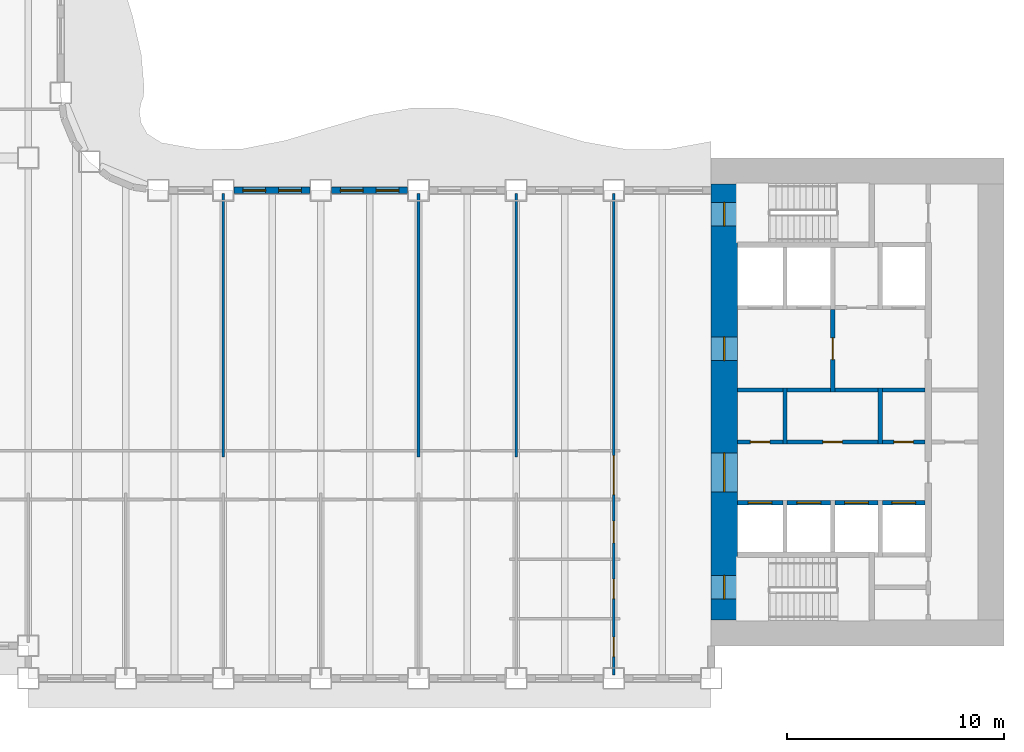
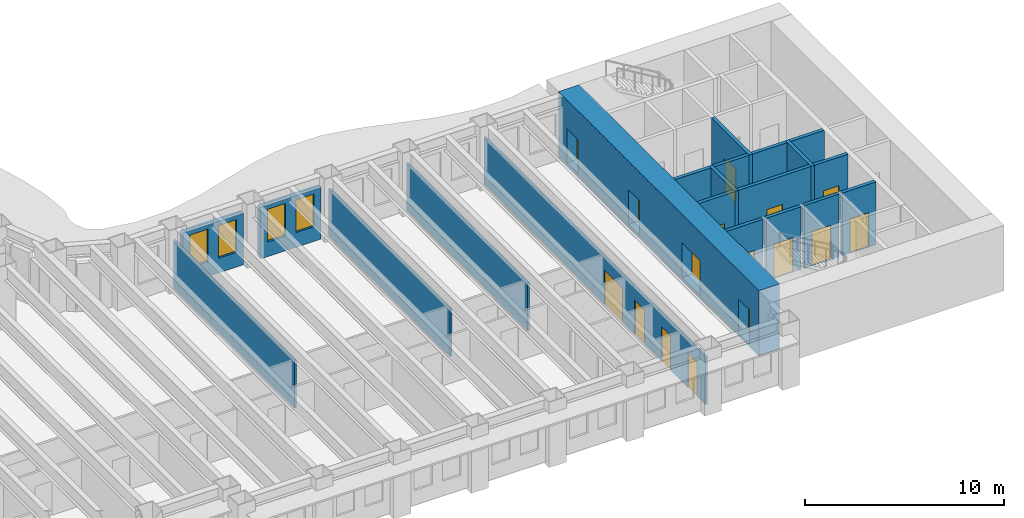
# One storey, part 6 of 16: 21 walls, 16 doors, 4 windows, 20 openings.
"""IFC4 building model written with IfcOpenShell, lengths in metres."""

from ifc_helpers import new_model, si_unit, direction, frame, frame_2d, origin, place, context, subcontext, project, spatial, rectangle, extrude, material, layer, layer_set, type_object, element, fill, save


model = new_model("IFC4")

# Units and contexts
model_context = context("Model", 3, precision=1e-05, world=origin(), true_north=direction((0.0, 1.0)))
body_context = subcontext(model_context, "Body", "Model", "MODEL_VIEW")
ifc_project = project(units=[si_unit("LENGTHUNIT", "METRE"), si_unit("AREAUNIT", "SQUARE_METRE"), si_unit("VOLUMEUNIT", "CUBIC_METRE"), si_unit("PLANEANGLEUNIT", "RADIAN"), si_unit("MASSUNIT", "GRAM", prefix="KILO")], contexts=[model_context])

# Site, building, storey
site_placement = place(None, origin())
site = spatial("IfcSite", under=ifc_project, at=site_placement, CompositionType="ELEMENT")
building_placement = place(site_placement, origin())
building = spatial("IfcBuilding", under=site, at=building_placement, Name="Sennacour Bend Tower", CompositionType="ELEMENT")
storey_placement = place(building_placement, frame((0.0, 0.0, 103.0)))
storey = spatial("IfcBuildingStorey", under=building, at=storey_placement, Name="L23", CompositionType="ELEMENT", Elevation=103.0)

# Wall, openings, doors
ifc_material_1 = material(Name="Concrete C80/95", Category="concrete")
ifc_layer_1 = layer(ifc_material_1, 1.199951171875, Name="Concrete C80/95", Category="concrete")
ifc_layer_set_1 = layer_set([ifc_layer_1], Name="Concrete C80/95")
wall_type_1 = type_object("IfcWallType", Name="Core wall 1200 C80/95", PredefinedType="SHEAR", material=ifc_layer_set_1)
wall_1_placement = place(storey_placement, frame((54.60009765625, 1.199951171875, -0.14990234375), z_axis=(0.0, 0.0, 1.0), x_axis=(0.0, 1.0, 0.0)))
wall_1 = element("IfcWall", 1, at=wall_1_placement, inside=storey, type_object=wall_type_1, Name="Core A wall L23 W", PredefinedType="SHEAR", context=body_context, shape_type="SweptSolid", body=[
    extrude(rectangle(XDim=20.10009765625, YDim=1.199951171875, at=frame_2d((10.050048828125, 0.0))), origin(), (0.0, 0.0, 1.0), 4.0),
])
opening_1_placement = place(wall_1_placement, frame((5.89990234375, 0.0, 0.14990234375)))
opening_1 = element("IfcOpeningElement", 2, at=opening_1_placement, cuts=wall_1, Name="Opening CD", PredefinedType="OPENING", context=body_context, shape_type="SweptSolid", body=[
    extrude(rectangle(XDim=1.800048828125, YDim=2.10009765625, at=frame_2d((0.89990234375, 1.050048828125))), frame((0.0, 0.60986328125, 0.0), z_axis=(0.0, -1.0, 0.0), x_axis=(1.0, 0.0, 0.0)), (0.0, 0.0, 1.0), 1.219970703125),
])
opening_2_placement = place(wall_1_placement, frame((11.949951171875, 0.0, 0.14990234375)))
opening_2 = element("IfcOpeningElement", 3, at=opening_2_placement, cuts=wall_1, Name="Opening FD", PredefinedType="OPENING", context=body_context, shape_type="SweptSolid", body=[
    extrude(rectangle(XDim=1.10009765625, YDim=2.10009765625, at=frame_2d((0.550048828125, 1.050048828125))), frame((0.0, 0.60986328125, 0.0), z_axis=(0.0, -1.0, 0.0), x_axis=(1.0, 0.0, 0.0)), (0.0, 0.0, 1.0), 1.219970703125),
])
opening_3_placement = place(wall_1_placement, frame((0.949951171875, 0.0, 0.14990234375)))
opening_3 = element("IfcOpeningElement", 4, at=opening_3_placement, cuts=wall_1, Name="Opening SD", PredefinedType="OPENING", context=body_context, shape_type="SweptSolid", body=[
    extrude(rectangle(XDim=1.10009765625, YDim=2.10009765625, at=frame_2d((0.550048828125, 1.050048828125))), frame((0.0, 0.60986328125, 0.0), z_axis=(0.0, -1.0, 0.0), x_axis=(1.0, 0.0, 0.0)), (0.0, 0.0, 1.0), 1.219970703125),
])
opening_4_placement = place(wall_1_placement, frame((18.14990234375, 0.0, 0.14990234375)))
opening_4 = element("IfcOpeningElement", 5, at=opening_4_placement, cuts=wall_1, Name="Opening SD", PredefinedType="OPENING", context=body_context, shape_type="SweptSolid", body=[
    extrude(rectangle(XDim=1.10009765625, YDim=2.10009765625, at=frame_2d((0.550048828125, 1.050048828125))), frame((0.0, 0.60986328125, 0.0), z_axis=(0.0, -1.0, 0.0), x_axis=(1.0, 0.0, 0.0)), (0.0, 0.0, 1.0), 1.219970703125),
])
ifc_material_2 = material(Name="Painted steel", Category="steel")
door_type_1 = type_object("IfcDoorType", Name="DR-FFL-1100", OperationType="NOTDEFINED", PredefinedType="DOOR", material=ifc_material_2)
door_1_placement = place(opening_2_placement, origin())
door_1 = element("IfcDoor", 6, at=door_1_placement, inside=storey, type_object=door_type_1, Name="Door", OperationType="SINGLE_SWING_RIGHT", OverallHeight=2.10009765625, OverallWidth=1.10009765625, PredefinedType="DOOR", context=body_context, shape_type="SweptSolid", body=[
    extrude(rectangle(XDim=1.10009765625, YDim=2.10009765625, at=frame_2d((0.550048828125, 1.050048828125))), frame((0.0, 0.02490234375, 0.0), z_axis=(0.0, -1.0, 0.0), x_axis=(1.0, 0.0, 0.0)), (0.0, 0.0, 1.0), 0.050048828125),
])
fill(opening_2, door_1)
door_type_2 = type_object("IfcDoorType", Name="DR-LOBBY-1800", OperationType="NOTDEFINED", PredefinedType="DOOR", material=ifc_material_2)
door_2_placement = place(opening_1_placement, origin())
door_2 = element("IfcDoor", 7, at=door_2_placement, inside=storey, type_object=door_type_2, Name="Door", OperationType="DOUBLE_DOOR_SINGLE_SWING", OverallHeight=2.10009765625, OverallWidth=1.800048828125, PredefinedType="DOOR", context=body_context, shape_type="SweptSolid", body=[
    extrude(rectangle(XDim=1.800048828125, YDim=2.10009765625, at=frame_2d((0.89990234375, 1.050048828125))), frame((0.0, 0.02490234375, 0.0), z_axis=(0.0, -1.0, 0.0), x_axis=(1.0, 0.0, 0.0)), (0.0, 0.0, 1.0), 0.050048828125),
])
fill(opening_1, door_2)
door_type_3 = type_object("IfcDoorType", Name="DR-STAIR-1100", OperationType="NOTDEFINED", PredefinedType="DOOR", material=ifc_material_2)
door_3_placement = place(opening_3_placement, origin())
door_3 = element("IfcDoor", 8, at=door_3_placement, inside=storey, type_object=door_type_3, Name="Door", OperationType="SINGLE_SWING_LEFT", OverallHeight=2.10009765625, OverallWidth=1.10009765625, PredefinedType="DOOR", context=body_context, shape_type="SweptSolid", body=[
    extrude(rectangle(XDim=1.10009765625, YDim=2.10009765625, at=frame_2d((0.550048828125, 1.050048828125))), frame((0.0, 0.02490234375, 0.0), z_axis=(0.0, -1.0, 0.0), x_axis=(1.0, 0.0, 0.0)), (0.0, 0.0, 1.0), 0.050048828125),
])
fill(opening_3, door_3)
door_4_placement = place(opening_4_placement, origin())
door_4 = element("IfcDoor", 9, at=door_4_placement, inside=storey, type_object=door_type_3, Name="Door", OperationType="SINGLE_SWING_RIGHT", OverallHeight=2.10009765625, OverallWidth=1.10009765625, PredefinedType="DOOR", context=body_context, shape_type="SweptSolid", body=[
    extrude(rectangle(XDim=1.10009765625, YDim=2.10009765625, at=frame_2d((0.550048828125, 1.050048828125))), frame((0.0, 0.02490234375, 0.0), z_axis=(0.0, -1.0, 0.0), x_axis=(1.0, 0.0, 0.0)), (0.0, 0.0, 1.0), 0.050048828125),
])
fill(opening_4, door_4)

# Walls
ifc_material_3 = material(Name="Plasterboard partition on steel studs", Category="steel")
ifc_layer_2 = layer(ifc_material_3, 0.1201171875, Name="Plasterboard partition on steel studs", Category="steel")
ifc_layer_set_2 = layer_set([ifc_layer_2], Name="Plasterboard partition on steel studs")
wall_type_2 = type_object("IfcWallType", Name="Partition 120", PredefinedType="PARTITIONING", material=ifc_layer_set_2)
for number, where, z_axis, x_axis, name in (
    (10, (31.5, 8.699951171875, 0.0), (0.0, 0.0, 1.0), (0.0, 1.0, 0.0), "P-L23-W027a"),
    (11, (40.5, 8.699951171875, 0.0), (0.0, 0.0, 1.0), (0.0, 1.0, 0.0), "P-L23-W030a"),
    (12, (45.0, 8.699951171875, 0.0), (0.0, 0.0, 1.0), (0.0, 1.0, 0.0), "P-L23-W032a"),
):
    element("IfcWall", number, at=place(storey_placement, frame(where, z_axis=z_axis, x_axis=x_axis)), inside=storey, type_object=wall_type_2, Name=name, PredefinedType="PARTITIONING", context=body_context, shape_type="SweptSolid", body=[
        extrude(rectangle(XDim=12.150146484375, YDim=0.1201171875, at=frame_2d((6.0751953125, 0.0))), origin(), (0.0, 0.0, 1.0), 2.93798828125),
    ])

# Wall, openings, doors
ifc_layer_3 = layer(ifc_material_3, 0.1201171875, Name="Plasterboard partition on steel studs", Category="steel")
ifc_layer_set_3 = layer_set([ifc_layer_3], Name="Plasterboard partition on steel studs")
wall_type_3 = type_object("IfcWallType", Name="Partition 120 EI 30", PredefinedType="PARTITIONING", material=ifc_layer_set_3)
wall_2_placement = place(storey_placement, frame((49.5, -1.35009765625, 0.0), z_axis=(0.0, 0.0, 1.0), x_axis=(0.0, 1.0, 0.0)))
wall_2 = element("IfcWall", 13, at=wall_2_placement, inside=storey, type_object=wall_type_3, Name="P-L23-W033a", PredefinedType="PARTITIONING", context=body_context, shape_type="SweptSolid", body=[
    extrude(rectangle(XDim=22.2001953125, YDim=0.1201171875, at=frame_2d((11.10009765625, 0.0))), origin(), (0.0, 0.0, 1.0), 2.93798828125),
])
opening_5_placement = place(wall_2_placement, frame((8.3251953125, 0.0, 0.0)))
opening_5 = element("IfcOpeningElement", 14, at=opening_5_placement, cuts=wall_2, Name="Opening KD3", PredefinedType="OPENING", context=body_context, shape_type="SweptSolid", body=[
    extrude(rectangle(XDim=1.800048828125, YDim=2.10009765625, at=frame_2d((0.89990234375, 1.050048828125))), frame((0.0, 0.070068359375, 0.0), z_axis=(0.0, -1.0, 0.0), x_axis=(1.0, 0.0, 0.0)), (0.0, 0.0, 1.0), 0.14013671875),
])
opening_6_placement = place(wall_2_placement, frame((0.85009765625, 0.0, 0.0)))
opening_6 = element("IfcOpeningElement", 15, at=opening_6_placement, cuts=wall_2, Name="Opening WD", PredefinedType="OPENING", context=body_context, shape_type="SweptSolid", body=[
    extrude(rectangle(XDim=0.89990234375, YDim=2.10009765625, at=frame_2d((0.449951171875, 1.050048828125))), frame((0.0, 0.070068359375, 0.0), z_axis=(0.0, -1.0, 0.0), x_axis=(1.0, 0.0, 0.0)), (0.0, 0.0, 1.0), 0.14013671875),
])
opening_7_placement = place(wall_2_placement, frame((3.525146484375, 0.0, 0.0)))
opening_7 = element("IfcOpeningElement", 16, at=opening_7_placement, cuts=wall_2, Name="Opening WD", PredefinedType="OPENING", context=body_context, shape_type="SweptSolid", body=[
    extrude(rectangle(XDim=0.89990234375, YDim=2.10009765625, at=frame_2d((0.449951171875, 1.050048828125))), frame((0.0, 0.070068359375, 0.0), z_axis=(0.0, -1.0, 0.0), x_axis=(1.0, 0.0, 0.0)), (0.0, 0.0, 1.0), 0.14013671875),
])
opening_8_placement = place(wall_2_placement, frame((6.10009765625, 0.0, 0.0)))
opening_8 = element("IfcOpeningElement", 17, at=opening_8_placement, cuts=wall_2, Name="Opening AD", PredefinedType="OPENING", context=body_context, shape_type="SweptSolid", body=[
    extrude(rectangle(XDim=1.0, YDim=2.10009765625, at=frame_2d((0.5, 1.050048828125))), frame((0.0, 0.070068359375, 0.0), z_axis=(0.0, -1.0, 0.0), x_axis=(1.0, 0.0, 0.0)), (0.0, 0.0, 1.0), 0.14013671875),
])
ifc_material_4 = material(Name="Timber", Category="wood")
door_type_4 = type_object("IfcDoorType", Name="DR-ACC-WC-1000", OperationType="NOTDEFINED", PredefinedType="DOOR", material=ifc_material_4)
door_5_placement = place(opening_8_placement, origin())
door_5 = element("IfcDoor", 18, at=door_5_placement, inside=storey, type_object=door_type_4, Name="Door", OperationType="SINGLE_SWING_LEFT", OverallHeight=2.10009765625, OverallWidth=1.0, PredefinedType="DOOR", context=body_context, shape_type="SweptSolid", body=[
    extrude(rectangle(XDim=1.0, YDim=2.10009765625, at=frame_2d((0.5, 1.050048828125))), frame((0.0, 0.02490234375, 0.0), z_axis=(0.0, -1.0, 0.0), x_axis=(1.0, 0.0, 0.0)), (0.0, 0.0, 1.0), 0.050048828125),
])
fill(opening_8, door_5)
door_type_5 = type_object("IfcDoorType", Name="DR-CORRIDOR-1800", OperationType="NOTDEFINED", PredefinedType="DOOR", material=ifc_material_2)
door_6_placement = place(opening_5_placement, origin())
door_6 = element("IfcDoor", 19, at=door_6_placement, inside=storey, type_object=door_type_5, Name="Door", OperationType="DOUBLE_DOOR_SINGLE_SWING", OverallHeight=2.10009765625, OverallWidth=1.800048828125, PredefinedType="DOOR", context=body_context, shape_type="SweptSolid", body=[
    extrude(rectangle(XDim=1.800048828125, YDim=2.10009765625, at=frame_2d((0.89990234375, 1.050048828125))), frame((0.0, 0.02490234375, 0.0), z_axis=(0.0, -1.0, 0.0), x_axis=(1.0, 0.0, 0.0)), (0.0, 0.0, 1.0), 0.050048828125),
])
fill(opening_5, door_6)
door_type_6 = type_object("IfcDoorType", Name="DR-WC-900", OperationType="NOTDEFINED", PredefinedType="DOOR", material=ifc_material_4)
door_7_placement = place(opening_6_placement, origin())
door_7 = element("IfcDoor", 20, at=door_7_placement, inside=storey, type_object=door_type_6, Name="Door", OperationType="SINGLE_SWING_LEFT", OverallHeight=2.10009765625, OverallWidth=0.89990234375, PredefinedType="DOOR", context=body_context, shape_type="SweptSolid", body=[
    extrude(rectangle(XDim=0.89990234375, YDim=2.10009765625, at=frame_2d((0.449951171875, 1.050048828125))), frame((0.0, 0.02490234375, 0.0), z_axis=(0.0, -1.0, 0.0), x_axis=(1.0, 0.0, 0.0)), (0.0, 0.0, 1.0), 0.050048828125),
])
fill(opening_6, door_7)
door_8_placement = place(opening_7_placement, origin())
door_8 = element("IfcDoor", 21, at=door_8_placement, inside=storey, type_object=door_type_6, Name="Door", OperationType="SINGLE_SWING_LEFT", OverallHeight=2.10009765625, OverallWidth=0.89990234375, PredefinedType="DOOR", context=body_context, shape_type="SweptSolid", body=[
    extrude(rectangle(XDim=0.89990234375, YDim=2.10009765625, at=frame_2d((0.449951171875, 1.050048828125))), frame((0.0, 0.02490234375, 0.0), z_axis=(0.0, -1.0, 0.0), x_axis=(1.0, 0.0, 0.0)), (0.0, 0.0, 1.0), 0.050048828125),
])
fill(opening_7, door_8)

# Walls
ifc_material_5 = material(Name="Fire-rated plasterboard partition on steel studs", Category="steel")
ifc_layer_4 = layer(ifc_material_5, 0.199951171875, Name="Fire-rated plasterboard partition on steel studs", Category="steel")
ifc_layer_set_4 = layer_set([ifc_layer_4], Name="Fire-rated plasterboard partition on steel studs")
wall_type_4 = type_object("IfcWallType", Name="Rated partition 200", PredefinedType="PARTITIONING", material=ifc_layer_set_4)
for number, where, z_axis, x_axis, name in (
    (22, (57.39990234375, 9.300048828125, 0.0), (0.0, 0.0, 1.0), (0.0, 1.0, 0.0), "P-L23-W036"),
    (23, (61.800048828125, 9.300048828125, 0.0), (0.0, 0.0, 1.0), (0.0, 1.0, 0.0), "P-L23-W044"),
):
    element("IfcWall", number, at=place(storey_placement, frame(where, z_axis=z_axis, x_axis=x_axis)), inside=storey, type_object=wall_type_4, Name=name, PredefinedType="PARTITIONING", context=body_context, shape_type="SweptSolid", body=[
        extrude(rectangle(XDim=2.599853515625, YDim=0.199951171875, at=frame_2d((1.2998046875, 0.0))), origin(), (0.0, 0.0, 1.0), 3.85009765625),
    ])

# Wall, opening, door
wall_3_placement = place(storey_placement, frame((55.199951171875, 9.39990234375, 0.0), z_axis=(0.0, 0.0, 1.0), x_axis=(1.0, 0.0, 0.0)))
wall_3 = element("IfcWall", 24, at=wall_3_placement, inside=storey, type_object=wall_type_4, Name="P-L23-W062a", PredefinedType="PARTITIONING", context=body_context, shape_type="SweptSolid", body=[
    extrude(rectangle(XDim=2.10009765625, YDim=0.199951171875, at=frame_2d((1.050048828125, 0.0))), origin(), (0.0, 0.0, 1.0), 3.85009765625),
])
opening_9_placement = place(wall_3_placement, frame((0.60009765625, 0.0, 0.0)))
opening_9 = element("IfcOpeningElement", 25, at=opening_9_placement, cuts=wall_3, Name="Opening SV", PredefinedType="OPENING", context=body_context, shape_type="SweptSolid", body=[
    extrude(rectangle(XDim=0.89990234375, YDim=2.10009765625, at=frame_2d((0.449951171875, 1.050048828125))), frame((0.0, 0.10986328125, 0.0), z_axis=(0.0, -1.0, 0.0), x_axis=(1.0, 0.0, 0.0)), (0.0, 0.0, 1.0), 0.219970703125),
])
door_type_7 = type_object("IfcDoorType", Name="DR-SERVICE-900", OperationType="NOTDEFINED", PredefinedType="DOOR", material=ifc_material_2)
door_9_placement = place(opening_9_placement, origin())
door_9 = element("IfcDoor", 26, at=door_9_placement, inside=storey, type_object=door_type_7, Name="Door", OperationType="SINGLE_SWING_LEFT", OverallHeight=2.10009765625, OverallWidth=0.89990234375, PredefinedType="DOOR", context=body_context, shape_type="SweptSolid", body=[
    extrude(rectangle(XDim=0.89990234375, YDim=2.10009765625, at=frame_2d((0.449951171875, 1.050048828125))), frame((0.0, 0.02490234375, 0.0), z_axis=(0.0, -1.0, 0.0), x_axis=(1.0, 0.0, 0.0)), (0.0, 0.0, 1.0), 0.050048828125),
])
fill(opening_9, door_9)

wall_4_placement = place(storey_placement, frame((57.5, 9.39990234375, 0.0), z_axis=(0.0, 0.0, 1.0), x_axis=(1.0, 0.0, 0.0)))
wall_4 = element("IfcWall", 27, at=wall_4_placement, inside=storey, type_object=wall_type_4, Name="P-L23-W062b", PredefinedType="PARTITIONING", context=body_context, shape_type="SweptSolid", body=[
    extrude(rectangle(XDim=4.199951171875, YDim=0.199951171875, at=frame_2d((2.10009765625, 0.0))), origin(), (0.0, 0.0, 1.0), 3.85009765625),
])
opening_10_placement = place(wall_4_placement, frame((1.64990234375, 0.0, 0.0)))
opening_10 = element("IfcOpeningElement", 28, at=opening_10_placement, cuts=wall_4, Name="Opening WD", PredefinedType="OPENING", context=body_context, shape_type="SweptSolid", body=[
    extrude(rectangle(XDim=0.89990234375, YDim=2.10009765625, at=frame_2d((0.449951171875, 1.050048828125))), frame((0.0, 0.10986328125, 0.0), z_axis=(0.0, -1.0, 0.0), x_axis=(1.0, 0.0, 0.0)), (0.0, 0.0, 1.0), 0.219970703125),
])
door_10_placement = place(opening_10_placement, origin())
door_10 = element("IfcDoor", 29, at=door_10_placement, inside=storey, type_object=door_type_6, Name="Door", OperationType="SINGLE_SWING_RIGHT", OverallHeight=2.10009765625, OverallWidth=0.89990234375, PredefinedType="DOOR", context=body_context, shape_type="SweptSolid", body=[
    extrude(rectangle(XDim=0.89990234375, YDim=2.10009765625, at=frame_2d((0.449951171875, 1.050048828125))), frame((0.0, 0.02490234375, 0.0), z_axis=(0.0, -1.0, 0.0), x_axis=(1.0, 0.0, 0.0)), (0.0, 0.0, 1.0), 0.050048828125),
])
fill(opening_10, door_10)

wall_5_placement = place(storey_placement, frame((61.89990234375, 9.39990234375, 0.0), z_axis=(0.0, 0.0, 1.0), x_axis=(1.0, 0.0, 0.0)))
wall_5 = element("IfcWall", 30, at=wall_5_placement, inside=storey, type_object=wall_type_4, Name="P-L23-W062c", PredefinedType="PARTITIONING", context=body_context, shape_type="SweptSolid", body=[
    extrude(rectangle(XDim=1.9501953125, YDim=0.199951171875, at=frame_2d((0.97509765625, 0.0))), origin(), (0.0, 0.0, 1.0), 3.85009765625),
])
opening_11_placement = place(wall_5_placement, frame((0.525146484375, 0.0, 0.0)))
opening_11 = element("IfcOpeningElement", 31, at=opening_11_placement, cuts=wall_5, Name="Opening SV", PredefinedType="OPENING", context=body_context, shape_type="SweptSolid", body=[
    extrude(rectangle(XDim=0.89990234375, YDim=2.10009765625, at=frame_2d((0.449951171875, 1.050048828125))), frame((0.0, 0.10986328125, 0.0), z_axis=(0.0, -1.0, 0.0), x_axis=(1.0, 0.0, 0.0)), (0.0, 0.0, 1.0), 0.219970703125),
])
door_11_placement = place(opening_11_placement, origin())
door_11 = element("IfcDoor", 32, at=door_11_placement, inside=storey, type_object=door_type_7, Name="Door", OperationType="SINGLE_SWING_LEFT", OverallHeight=2.10009765625, OverallWidth=0.89990234375, PredefinedType="DOOR", context=body_context, shape_type="SweptSolid", body=[
    extrude(rectangle(XDim=0.89990234375, YDim=2.10009765625, at=frame_2d((0.449951171875, 1.050048828125))), frame((0.0, 0.02490234375, 0.0), z_axis=(0.0, -1.0, 0.0), x_axis=(1.0, 0.0, 0.0)), (0.0, 0.0, 1.0), 0.050048828125),
])
fill(opening_11, door_11)

# Walls
wall_6_placement = place(storey_placement, frame((55.199951171875, 11.800048828125, 0.0), z_axis=(0.0, 0.0, 1.0), x_axis=(1.0, 0.0, 0.0)))
element("IfcWall", 33, at=wall_6_placement, inside=storey, type_object=wall_type_4, Name="P-L23-W063a", PredefinedType="PARTITIONING", context=body_context, shape_type="SweptSolid", body=[
    extrude(rectangle(XDim=2.10009765625, YDim=0.199951171875, at=frame_2d((1.050048828125, 0.0))), origin(), (0.0, 0.0, 1.0), 3.85009765625),
])
for number, where, z_axis, x_axis, name in (
    (34, (57.5, 11.800048828125, 0.0), (0.0, 0.0, 1.0), (1.0, 0.0, 0.0), "P-L23-W063b"),
    (35, (59.699951171875, 11.800048828125, 0.0), (0.0, 0.0, 1.0), (1.0, 0.0, 0.0), "P-L23-W063c"),
):
    element("IfcWall", number, at=place(storey_placement, frame(where, z_axis=z_axis, x_axis=x_axis)), inside=storey, type_object=wall_type_4, Name=name, PredefinedType="PARTITIONING", context=body_context, shape_type="SweptSolid", body=[
        extrude(rectangle(XDim=2.0, YDim=0.199951171875, at=frame_2d((1.0, 0.0))), origin(), (0.0, 0.0, 1.0), 3.85009765625),
    ])
wall_7_placement = place(storey_placement, frame((61.89990234375, 11.800048828125, 0.0), z_axis=(0.0, 0.0, 1.0), x_axis=(1.0, 0.0, 0.0)))
element("IfcWall", 36, at=wall_7_placement, inside=storey, type_object=wall_type_4, Name="P-L23-W063d", PredefinedType="PARTITIONING", context=body_context, shape_type="SweptSolid", body=[
    extrude(rectangle(XDim=1.9501953125, YDim=0.199951171875, at=frame_2d((0.97509765625, 0.0))), origin(), (0.0, 0.0, 1.0), 3.85009765625),
])

# Wall, opening, door
ifc_layer_5 = layer(ifc_material_5, 0.199951171875, Name="Fire-rated plasterboard partition on steel studs", Category="steel")
ifc_layer_set_5 = layer_set([ifc_layer_5], Name="Fire-rated plasterboard partition on steel studs")
wall_type_5 = type_object("IfcWallType", Name="Rated partition 200 EI 90", PredefinedType="PARTITIONING", material=ifc_layer_set_5)
wall_8_placement = place(storey_placement, frame((59.60009765625, 11.699951171875, 0.0), z_axis=(0.0, 0.0, 1.0), x_axis=(0.0, 1.0, 0.0)))
wall_8 = element("IfcWall", 37, at=wall_8_placement, inside=storey, type_object=wall_type_5, Name="P-L23-W039", PredefinedType="PARTITIONING", context=body_context, shape_type="SweptSolid", body=[
    extrude(rectangle(XDim=3.800048828125, YDim=0.199951171875, at=frame_2d((1.89990234375, 0.0))), origin(), (0.0, 0.0, 1.0), 3.85009765625),
])
opening_12_placement = place(wall_8_placement, frame((1.5, 0.0, 0.0)))
opening_12 = element("IfcOpeningElement", 38, at=opening_12_placement, cuts=wall_8, Name="Opening FD2", PredefinedType="OPENING", context=body_context, shape_type="SweptSolid", body=[
    extrude(rectangle(XDim=1.0, YDim=2.10009765625, at=frame_2d((0.5, 1.050048828125))), frame((0.0, 0.10986328125, 0.0), z_axis=(0.0, -1.0, 0.0), x_axis=(1.0, 0.0, 0.0)), (0.0, 0.0, 1.0), 0.219970703125),
])
door_type_8 = type_object("IfcDoorType", Name="DR-FFL-1000", OperationType="NOTDEFINED", PredefinedType="DOOR", material=ifc_material_2)
door_12_placement = place(opening_12_placement, origin())
door_12 = element("IfcDoor", 39, at=door_12_placement, inside=storey, type_object=door_type_8, Name="Door", OperationType="SINGLE_SWING_RIGHT", OverallHeight=2.10009765625, OverallWidth=1.0, PredefinedType="DOOR", context=body_context, shape_type="SweptSolid", body=[
    extrude(rectangle(XDim=1.0, YDim=2.10009765625, at=frame_2d((0.5, 1.050048828125))), frame((0.0, 0.02490234375, 0.0), z_axis=(0.0, -1.0, 0.0), x_axis=(1.0, 0.0, 0.0)), (0.0, 0.0, 1.0), 0.050048828125),
])
fill(opening_12, door_12)

# Wall, openings, windows
ifc_material_6 = material(Name="Warm limestone cladding", Category="masonry")
ifc_layer_6 = layer(ifc_material_6, 0.050048828125, Name="Warm limestone cladding", Category="masonry")
ifc_material_7 = material(Name="Precast concrete C40/50", Category="concrete")
ifc_layer_7 = layer(ifc_material_7, 0.25, Name="Precast concrete C40/50", Category="concrete")
ifc_layer_set_6 = layer_set([ifc_layer_6, ifc_layer_7], Name="Precast concrete C40/50 with limestone cladding")
wall_type_6 = type_object("IfcWallType", Name="STONE-CLAD PRECAST SPANDREL 300", PredefinedType="STANDARD", material=ifc_layer_set_6)
wall_9_placement = place(storey_placement, frame((40.0, 21.0, 0.0), z_axis=(0.0, 0.0, 1.0), x_axis=(-1.0, 0.0, 0.0)))
wall_9 = element("IfcWall", 40, at=wall_9_placement, inside=storey, type_object=wall_type_6, Name="Stone spandrel and pier wall L23 06.03", PredefinedType="STANDARD", context=body_context, shape_type="SweptSolid", body=[
    extrude(rectangle(XDim=3.5, YDim=0.300048828125, at=frame_2d((1.75, 0.0))), origin(), (0.0, 0.0, 1.0), 3.154052734375),
])
opening_13_placement = place(wall_9_placement, frame((0.39990234375, 0.0, 0.89990234375)))
opening_13 = element("IfcOpeningElement", 41, at=opening_13_placement, cuts=wall_9, Name="Opening W13", PredefinedType="OPENING", context=body_context, shape_type="SweptSolid", body=[
    extrude(rectangle(XDim=1.050048828125, YDim=2.0, at=frame_2d((0.52490234375, 1.0))), frame((0.0, 0.16015625, 0.0), z_axis=(0.0, -1.0, 0.0), x_axis=(1.0, 0.0, 0.0)), (0.0, 0.0, 1.0), 0.320068359375),
])
opening_14_placement = place(wall_9_placement, frame((2.050048828125, 0.0, 0.89990234375)))
opening_14 = element("IfcOpeningElement", 42, at=opening_14_placement, cuts=wall_9, Name="Opening W13", PredefinedType="OPENING", context=body_context, shape_type="SweptSolid", body=[
    extrude(rectangle(XDim=1.050048828125, YDim=2.0, at=frame_2d((0.52490234375, 1.0))), frame((0.0, 0.16015625, 0.0), z_axis=(0.0, -1.0, 0.0), x_axis=(1.0, 0.0, 0.0)), (0.0, 0.0, 1.0), 0.320068359375),
])
ifc_material_8 = material(Name="Clear low-emissivity glass", Category="glass")
window_type = type_object("IfcWindowType", Name="WIN-RIBBON-1050x2000", PartitioningType="SINGLE_PANEL", PredefinedType="WINDOW", material=ifc_material_8)
window_1_placement = place(opening_13_placement, origin())
window_1 = element("IfcWindow", 43, at=window_1_placement, inside=storey, type_object=window_type, Name="Ribbon window L23 06.03.0", OverallHeight=2.0, OverallWidth=1.050048828125, PartitioningType="SINGLE_PANEL", PredefinedType="WINDOW", context=body_context, shape_type="SweptSolid", body=[
    extrude(rectangle(XDim=1.050048828125, YDim=2.0, at=frame_2d((0.52490234375, 1.0))), frame((0.0, 0.030029296875, 0.0), z_axis=(0.0, -1.0, 0.0), x_axis=(1.0, 0.0, 0.0)), (0.0, 0.0, 1.0), 0.06005859375),
])
fill(opening_13, window_1)
window_2_placement = place(opening_14_placement, origin())
window_2 = element("IfcWindow", 44, at=window_2_placement, inside=storey, type_object=window_type, Name="Ribbon window L23 06.03.1", OverallHeight=2.0, OverallWidth=1.050048828125, PartitioningType="SINGLE_PANEL", PredefinedType="WINDOW", context=body_context, shape_type="SweptSolid", body=[
    extrude(rectangle(XDim=1.050048828125, YDim=2.0, at=frame_2d((0.52490234375, 1.0))), frame((0.0, 0.030029296875, 0.0), z_axis=(0.0, -1.0, 0.0), x_axis=(1.0, 0.0, 0.0)), (0.0, 0.0, 1.0), 0.06005859375),
])
fill(opening_14, window_2)

wall_10_placement = place(storey_placement, frame((35.5, 21.0, 0.0), z_axis=(0.0, 0.0, 1.0), x_axis=(-1.0, 0.0, 0.0)))
wall_10 = element("IfcWall", 45, at=wall_10_placement, inside=storey, type_object=wall_type_6, Name="Stone spandrel and pier wall L23 06.04", PredefinedType="STANDARD", context=body_context, shape_type="SweptSolid", body=[
    extrude(rectangle(XDim=3.5, YDim=0.300048828125, at=frame_2d((1.75, 0.0))), origin(), (0.0, 0.0, 1.0), 3.154052734375),
])
opening_15_placement = place(wall_10_placement, frame((0.39990234375, 0.0, 0.89990234375)))
opening_15 = element("IfcOpeningElement", 46, at=opening_15_placement, cuts=wall_10, Name="Opening W13", PredefinedType="OPENING", context=body_context, shape_type="SweptSolid", body=[
    extrude(rectangle(XDim=1.050048828125, YDim=2.0, at=frame_2d((0.52490234375, 1.0))), frame((0.0, 0.16015625, 0.0), z_axis=(0.0, -1.0, 0.0), x_axis=(1.0, 0.0, 0.0)), (0.0, 0.0, 1.0), 0.320068359375),
])
opening_16_placement = place(wall_10_placement, frame((2.050048828125, 0.0, 0.89990234375)))
opening_16 = element("IfcOpeningElement", 47, at=opening_16_placement, cuts=wall_10, Name="Opening W13", PredefinedType="OPENING", context=body_context, shape_type="SweptSolid", body=[
    extrude(rectangle(XDim=1.050048828125, YDim=2.0, at=frame_2d((0.52490234375, 1.0))), frame((0.0, 0.16015625, 0.0), z_axis=(0.0, -1.0, 0.0), x_axis=(1.0, 0.0, 0.0)), (0.0, 0.0, 1.0), 0.320068359375),
])
window_3_placement = place(opening_15_placement, origin())
window_3 = element("IfcWindow", 48, at=window_3_placement, inside=storey, type_object=window_type, Name="Ribbon window L23 06.04.0", OverallHeight=2.0, OverallWidth=1.050048828125, PartitioningType="SINGLE_PANEL", PredefinedType="WINDOW", context=body_context, shape_type="SweptSolid", body=[
    extrude(rectangle(XDim=1.050048828125, YDim=2.0, at=frame_2d((0.52490234375, 1.0))), frame((0.0, 0.030029296875, 0.0), z_axis=(0.0, -1.0, 0.0), x_axis=(1.0, 0.0, 0.0)), (0.0, 0.0, 1.0), 0.06005859375),
])
fill(opening_15, window_3)
window_4_placement = place(opening_16_placement, origin())
window_4 = element("IfcWindow", 49, at=window_4_placement, inside=storey, type_object=window_type, Name="Ribbon window L23 06.04.1", OverallHeight=2.0, OverallWidth=1.050048828125, PartitioningType="SINGLE_PANEL", PredefinedType="WINDOW", context=body_context, shape_type="SweptSolid", body=[
    extrude(rectangle(XDim=1.050048828125, YDim=2.0, at=frame_2d((0.52490234375, 1.0))), frame((0.0, 0.030029296875, 0.0), z_axis=(0.0, -1.0, 0.0), x_axis=(1.0, 0.0, 0.0)), (0.0, 0.0, 1.0), 0.06005859375),
])
fill(opening_16, window_4)

# Wall, opening, door
ifc_material_9 = material(Name="Concrete C50/60", Category="concrete")
ifc_layer_8 = layer(ifc_material_9, 0.199951171875, Name="Concrete C50/60", Category="concrete")
ifc_layer_set_7 = layer_set([ifc_layer_8], Name="Concrete C50/60")
wall_type_7 = type_object("IfcWallType", Name="Shaft wall 200", PredefinedType="SOLIDWALL", material=ifc_layer_set_7)
wall_11_placement = place(storey_placement, frame((55.199951171875, 6.60009765625, 0.0), z_axis=(0.0, 0.0, 1.0), x_axis=(1.0, 0.0, 0.0)))
wall_11 = element("IfcWall", 50, at=wall_11_placement, inside=storey, type_object=wall_type_7, Name="P-L23-W059a", PredefinedType="SOLIDWALL", context=body_context, shape_type="SweptSolid", body=[
    extrude(rectangle(XDim=2.10009765625, YDim=0.199951171875, at=frame_2d((1.050048828125, 0.0))), origin(), (0.0, 0.0, 1.0), 3.85009765625),
])
opening_17_placement = place(wall_11_placement, frame((0.5, 0.0, 0.011962890625)))
opening_17 = element("IfcOpeningElement", 51, at=opening_17_placement, cuts=wall_11, Name="Opening LD", PredefinedType="OPENING", context=body_context, shape_type="SweptSolid", body=[
    extrude(rectangle(XDim=1.10009765625, YDim=2.10009765625, at=frame_2d((0.550048828125, 1.050048828125))), frame((0.0, 0.10986328125, 0.0), z_axis=(0.0, -1.0, 0.0), x_axis=(1.0, 0.0, 0.0)), (0.0, 0.0, 1.0), 0.219970703125),
])
ifc_material_10 = material(Name="Stainless steel", Category="steel")
door_type_9 = type_object("IfcDoorType", Name="DR-LANDING-1100", OperationType="NOTDEFINED", PredefinedType="DOOR", material=ifc_material_10)
door_13_placement = place(opening_17_placement, origin())
door_13 = element("IfcDoor", 52, at=door_13_placement, inside=storey, type_object=door_type_9, Name="Lift landing door LA1", OperationType="SLIDING_TO_LEFT", OverallHeight=2.10009765625, OverallWidth=1.10009765625, PredefinedType="DOOR", context=body_context, shape_type="SweptSolid", body=[
    extrude(rectangle(XDim=1.10009765625, YDim=2.10009765625, at=frame_2d((0.550048828125, 1.050048828125))), frame((0.0, 0.02490234375, 0.0), z_axis=(0.0, -1.0, 0.0), x_axis=(1.0, 0.0, 0.0)), (0.0, 0.0, 1.0), 0.050048828125),
])
fill(opening_17, door_13)

wall_12_placement = place(storey_placement, frame((57.5, 6.60009765625, 0.0), z_axis=(0.0, 0.0, 1.0), x_axis=(1.0, 0.0, 0.0)))
wall_12 = element("IfcWall", 53, at=wall_12_placement, inside=storey, type_object=wall_type_7, Name="P-L23-W059b", PredefinedType="SOLIDWALL", context=body_context, shape_type="SweptSolid", body=[
    extrude(rectangle(XDim=2.0, YDim=0.199951171875, at=frame_2d((1.0, 0.0))), origin(), (0.0, 0.0, 1.0), 3.85009765625),
])
opening_18_placement = place(wall_12_placement, frame((0.449951171875, 0.0, 0.011962890625)))
opening_18 = element("IfcOpeningElement", 54, at=opening_18_placement, cuts=wall_12, Name="Opening LD", PredefinedType="OPENING", context=body_context, shape_type="SweptSolid", body=[
    extrude(rectangle(XDim=1.10009765625, YDim=2.10009765625, at=frame_2d((0.550048828125, 1.050048828125))), frame((0.0, 0.10986328125, 0.0), z_axis=(0.0, -1.0, 0.0), x_axis=(1.0, 0.0, 0.0)), (0.0, 0.0, 1.0), 0.219970703125),
])
door_14_placement = place(opening_18_placement, origin())
door_14 = element("IfcDoor", 55, at=door_14_placement, inside=storey, type_object=door_type_9, Name="Lift landing door LA2", OperationType="SLIDING_TO_RIGHT", OverallHeight=2.10009765625, OverallWidth=1.10009765625, PredefinedType="DOOR", context=body_context, shape_type="SweptSolid", body=[
    extrude(rectangle(XDim=1.10009765625, YDim=2.10009765625, at=frame_2d((0.550048828125, 1.050048828125))), frame((0.0, 0.02490234375, 0.0), z_axis=(0.0, -1.0, 0.0), x_axis=(1.0, 0.0, 0.0)), (0.0, 0.0, 1.0), 0.050048828125),
])
fill(opening_18, door_14)

wall_13_placement = place(storey_placement, frame((59.699951171875, 6.60009765625, 0.0), z_axis=(0.0, 0.0, 1.0), x_axis=(1.0, 0.0, 0.0)))
wall_13 = element("IfcWall", 56, at=wall_13_placement, inside=storey, type_object=wall_type_7, Name="P-L23-W059c", PredefinedType="SOLIDWALL", context=body_context, shape_type="SweptSolid", body=[
    extrude(rectangle(XDim=2.0, YDim=0.199951171875, at=frame_2d((1.0, 0.0))), origin(), (0.0, 0.0, 1.0), 3.85009765625),
])
opening_19_placement = place(wall_13_placement, frame((0.449951171875, 0.0, 0.011962890625)))
opening_19 = element("IfcOpeningElement", 57, at=opening_19_placement, cuts=wall_13, Name="Opening LD", PredefinedType="OPENING", context=body_context, shape_type="SweptSolid", body=[
    extrude(rectangle(XDim=1.10009765625, YDim=2.10009765625, at=frame_2d((0.550048828125, 1.050048828125))), frame((0.0, 0.10986328125, 0.0), z_axis=(0.0, -1.0, 0.0), x_axis=(1.0, 0.0, 0.0)), (0.0, 0.0, 1.0), 0.219970703125),
])
door_15_placement = place(opening_19_placement, origin())
door_15 = element("IfcDoor", 58, at=door_15_placement, inside=storey, type_object=door_type_9, Name="Lift landing door LA3", OperationType="SLIDING_TO_LEFT", OverallHeight=2.10009765625, OverallWidth=1.10009765625, PredefinedType="DOOR", context=body_context, shape_type="SweptSolid", body=[
    extrude(rectangle(XDim=1.10009765625, YDim=2.10009765625, at=frame_2d((0.550048828125, 1.050048828125))), frame((0.0, 0.02490234375, 0.0), z_axis=(0.0, -1.0, 0.0), x_axis=(1.0, 0.0, 0.0)), (0.0, 0.0, 1.0), 0.050048828125),
])
fill(opening_19, door_15)

wall_14_placement = place(storey_placement, frame((61.89990234375, 6.60009765625, 0.0), z_axis=(0.0, 0.0, 1.0), x_axis=(1.0, 0.0, 0.0)))
wall_14 = element("IfcWall", 59, at=wall_14_placement, inside=storey, type_object=wall_type_7, Name="P-L23-W059d", PredefinedType="SOLIDWALL", context=body_context, shape_type="SweptSolid", body=[
    extrude(rectangle(XDim=1.9501953125, YDim=0.199951171875, at=frame_2d((0.97509765625, 0.0))), origin(), (0.0, 0.0, 1.0), 3.85009765625),
])
opening_20_placement = place(wall_14_placement, frame((0.425048828125, 0.0, 0.011962890625)))
opening_20 = element("IfcOpeningElement", 60, at=opening_20_placement, cuts=wall_14, Name="Opening LD", PredefinedType="OPENING", context=body_context, shape_type="SweptSolid", body=[
    extrude(rectangle(XDim=1.10009765625, YDim=2.10009765625, at=frame_2d((0.550048828125, 1.050048828125))), frame((0.0, 0.10986328125, 0.0), z_axis=(0.0, -1.0, 0.0), x_axis=(1.0, 0.0, 0.0)), (0.0, 0.0, 1.0), 0.219970703125),
])
door_16_placement = place(opening_20_placement, origin())
door_16 = element("IfcDoor", 61, at=door_16_placement, inside=storey, type_object=door_type_9, Name="Lift landing door LA4", OperationType="SLIDING_TO_RIGHT", OverallHeight=2.10009765625, OverallWidth=1.10009765625, PredefinedType="DOOR", context=body_context, shape_type="SweptSolid", body=[
    extrude(rectangle(XDim=1.10009765625, YDim=2.10009765625, at=frame_2d((0.550048828125, 1.050048828125))), frame((0.0, 0.02490234375, 0.0), z_axis=(0.0, -1.0, 0.0), x_axis=(1.0, 0.0, 0.0)), (0.0, 0.0, 1.0), 0.050048828125),
])
fill(opening_20, door_16)

save(model, "model.ifc")
